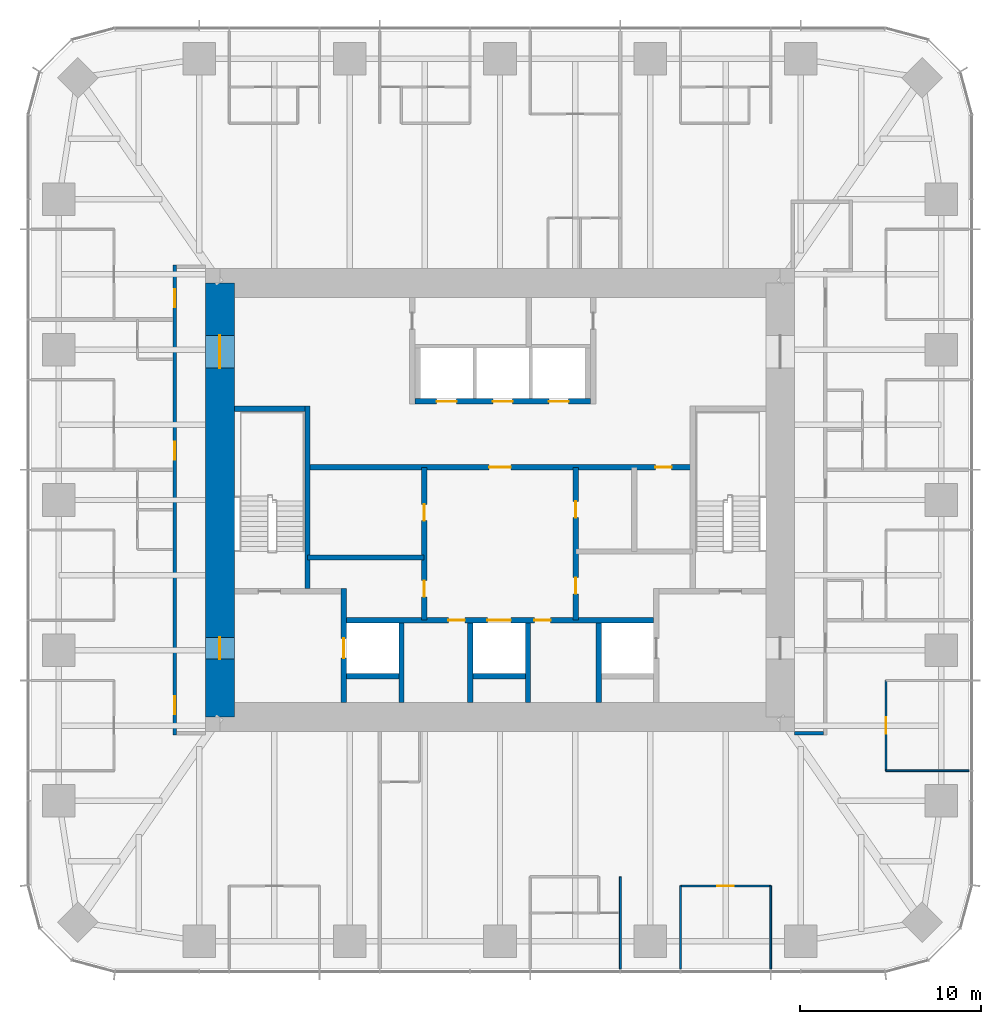
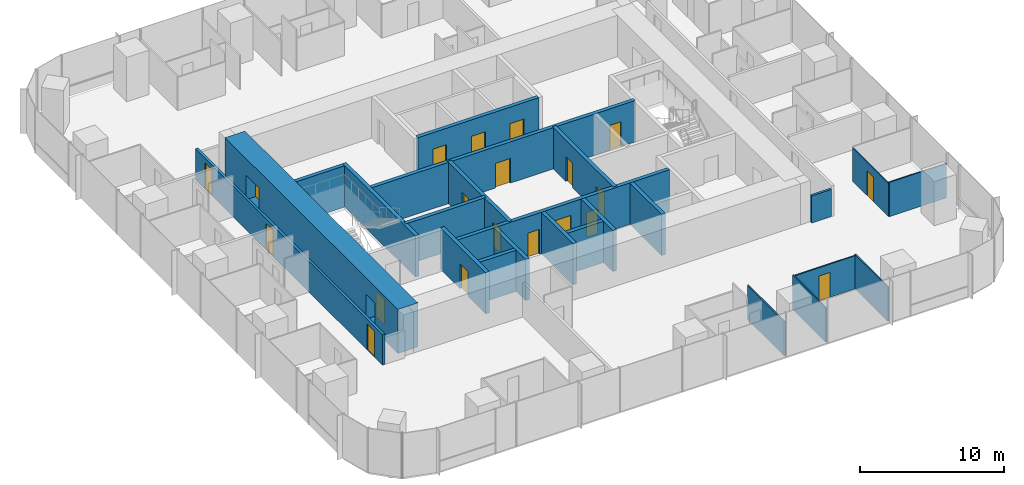
# One storey, part 9 of 12: 24 walls, 20 doors, 20 openings.
"""IFC4 building model written with IfcOpenShell, lengths in metres."""

from ifc_helpers import new_model, si_unit, direction, frame, frame_2d, origin, place, context, subcontext, project, spatial, rectangle, extrude, material, layer, layer_set, type_object, element, fill, save


model = new_model("IFC4")

# Units and contexts
model_context = context("Model", 3, precision=1e-05, world=origin(), true_north=direction((0.0, 1.0)))
body_context = subcontext(model_context, "Body", "Model", "MODEL_VIEW")
ifc_project = project(units=[si_unit("LENGTHUNIT", "METRE"), si_unit("AREAUNIT", "SQUARE_METRE"), si_unit("VOLUMEUNIT", "CUBIC_METRE"), si_unit("PLANEANGLEUNIT", "RADIAN"), si_unit("MASSUNIT", "GRAM", prefix="KILO")], contexts=[model_context])

# Site, building, storey
site_placement = place(None, origin())
site = spatial("IfcSite", under=ifc_project, at=site_placement, CompositionType="ELEMENT")
building_placement = place(site_placement, origin())
building = spatial("IfcBuilding", under=site, at=building_placement, Name="Khuree Lantern Residences", CompositionType="ELEMENT")
storey_placement = place(building_placement, frame((0.0, 0.0, 240.75)))
storey = spatial("IfcBuildingStorey", under=building, at=storey_placement, Name="L60", CompositionType="ELEMENT", Elevation=240.75)

# Wall, opening, door
ifc_material_1 = material(Name="Dense concrete blockwork", Category="masonry")
ifc_layer_1 = layer(ifc_material_1, 0.300048828125)
ifc_layer_set_1 = layer_set([ifc_layer_1], Name="CORE PARTITION WALL CPW300 EI 120")
wall_type_1 = type_object("IfcWallType", Name="CORE PARTITION WALL CPW300 EI 120", PredefinedType="PARTITIONING", material=ifc_layer_set_1)
wall_1_placement = place(storey_placement, frame((-8.64990234375, -11.199951171875, 0.0), z_axis=(0.0, 0.0, 1.0), x_axis=(0.0, 1.0, 0.0)))
wall_1 = element("IfcWall", 1, at=wall_1_placement, inside=storey, type_object=wall_type_1, Name="L60 CORE WALL FL1W", PredefinedType="PARTITIONING", context=body_context, shape_type="SweptSolid", body=[
    extrude(rectangle(XDim=6.300048828125, YDim=0.300048828125, at=frame_2d((3.14990234375, 0.0))), origin(), (0.0, 0.0, 1.0), 3.5),
])
opening_1_placement = place(wall_1_placement, frame((2.449951171875, 0.0, 0.0)))
opening_1 = element("IfcOpeningElement", 2, at=opening_1_placement, cuts=wall_1, Name="Opening 60-007", PredefinedType="OPENING", context=body_context, shape_type="SweptSolid", body=[
    extrude(rectangle(XDim=1.10009765625, YDim=2.10009765625, at=frame_2d((0.550048828125, 1.050048828125))), frame((0.0, 0.16015625, 0.0), z_axis=(0.0, -1.0, 0.0), x_axis=(1.0, 0.0, 0.0)), (0.0, 0.0, 1.0), 0.320068359375),
])
ifc_material_2 = material(Name="Stainless steel lift landing door", Category="steel")
door_type_1 = type_object("IfcDoorType", Name="LIFT LANDING DOOR 1100X2100 E 120", OperationType="DOUBLE_DOOR_SLIDING", PredefinedType="DOOR", material=ifc_material_2)
door_1_placement = place(opening_1_placement, origin())
door_1 = element("IfcDoor", 3, at=door_1_placement, inside=storey, type_object=door_type_1, Name="Landing door FL1 60-007", OperationType="DOUBLE_DOOR_SLIDING", OverallHeight=2.10009765625, OverallWidth=1.10009765625, PredefinedType="DOOR", context=body_context, shape_type="SweptSolid", body=[
    extrude(rectangle(XDim=1.10009765625, YDim=2.10009765625, at=frame_2d((0.550048828125, 1.050048828125))), frame((0.0, 0.02490234375, 0.0), z_axis=(0.0, -1.0, 0.0), x_axis=(1.0, 0.0, 0.0)), (0.0, 0.0, 1.0), 0.050048828125),
])
fill(opening_1, door_1)

# Wall, openings, doors
wall_2_placement = place(storey_placement, frame((-8.5, -6.64990234375, 0.0), z_axis=(0.0, 0.0, 1.0), x_axis=(1.0, 0.0, 0.0)))
wall_2 = element("IfcWall", 4, at=wall_2_placement, inside=storey, type_object=wall_type_1, Name="L60 CORE WALL FLROW", PredefinedType="PARTITIONING", context=body_context, shape_type="SweptSolid", body=[
    extrude(rectangle(XDim=17.0, YDim=0.300048828125, at=frame_2d((8.5, 0.0))), origin(), (0.0, 0.0, 1.0), 3.5),
])
opening_2_placement = place(wall_2_placement, frame((7.800048828125, 0.0, 0.0)))
opening_2 = element("IfcOpeningElement", 5, at=opening_2_placement, cuts=wall_2, Name="Opening 60-012", PredefinedType="OPENING", context=body_context, shape_type="SweptSolid", body=[
    extrude(rectangle(XDim=1.300048828125, YDim=2.39990234375, at=frame_2d((0.64990234375, 1.199951171875))), frame((0.0, 0.16015625, 0.0), z_axis=(0.0, -1.0, 0.0), x_axis=(1.0, 0.0, 0.0)), (0.0, 0.0, 1.0), 0.320068359375),
])
opening_3_placement = place(wall_2_placement, frame((5.64990234375, 0.0, 0.0)))
opening_3 = element("IfcOpeningElement", 6, at=opening_3_placement, cuts=wall_2, Name="Opening 60-014", PredefinedType="OPENING", context=body_context, shape_type="SweptSolid", body=[
    extrude(rectangle(XDim=0.89990234375, YDim=2.10009765625, at=frame_2d((0.449951171875, 1.050048828125))), frame((0.0, 0.16015625, 0.0), z_axis=(0.0, -1.0, 0.0), x_axis=(1.0, 0.0, 0.0)), (0.0, 0.0, 1.0), 0.320068359375),
])
opening_4_placement = place(wall_2_placement, frame((10.39990234375, 0.0, 0.0)))
opening_4 = element("IfcOpeningElement", 7, at=opening_4_placement, cuts=wall_2, Name="Opening 60-015", PredefinedType="OPENING", context=body_context, shape_type="SweptSolid", body=[
    extrude(rectangle(XDim=0.89990234375, YDim=2.10009765625, at=frame_2d((0.449951171875, 1.050048828125))), frame((0.0, 0.16015625, 0.0), z_axis=(0.0, -1.0, 0.0), x_axis=(1.0, 0.0, 0.0)), (0.0, 0.0, 1.0), 0.320068359375),
])
ifc_material_3 = material(Name="Steel door leaf in steel frame", Category="steel")
door_type_2 = type_object("IfcDoorType", Name="DOOR 900X2100 EI 60", OperationType="SINGLE_SWING_LEFT", PredefinedType="DOOR", material=ifc_material_3)
door_2_placement = place(opening_3_placement, origin())
door_2 = element("IfcDoor", 8, at=door_2_placement, inside=storey, type_object=door_type_2, Name="Refuse chute room door 60-014", OperationType="SINGLE_SWING_LEFT", OverallHeight=2.10009765625, OverallWidth=0.89990234375, PredefinedType="DOOR", context=body_context, shape_type="SweptSolid", body=[
    extrude(rectangle(XDim=0.89990234375, YDim=2.10009765625, at=frame_2d((0.449951171875, 1.050048828125))), frame((0.0, 0.02490234375, 0.0), z_axis=(0.0, -1.0, 0.0), x_axis=(1.0, 0.0, 0.0)), (0.0, 0.0, 1.0), 0.050048828125),
])
fill(opening_3, door_2)
door_type_3 = type_object("IfcDoorType", Name="DOOR 900X2100 EI 60 RIGHT HAND", OperationType="SINGLE_SWING_RIGHT", PredefinedType="DOOR", material=ifc_material_3)
door_3_placement = place(opening_4_placement, origin())
door_3 = element("IfcDoor", 9, at=door_3_placement, inside=storey, type_object=door_type_3, Name="Electrical and plumbing riser door 60-015", OperationType="SINGLE_SWING_RIGHT", OverallHeight=2.10009765625, OverallWidth=0.89990234375, PredefinedType="DOOR", context=body_context, shape_type="SweptSolid", body=[
    extrude(rectangle(XDim=0.89990234375, YDim=2.10009765625, at=frame_2d((0.449951171875, 1.050048828125))), frame((0.0, 0.02490234375, 0.0), z_axis=(0.0, -1.0, 0.0), x_axis=(1.0, 0.0, 0.0)), (0.0, 0.0, 1.0), 0.050048828125),
])
fill(opening_4, door_3)
door_type_4 = type_object("IfcDoorType", Name="LIFT LANDING DOOR 1300X2400 E 60", OperationType="DOUBLE_DOOR_SLIDING", PredefinedType="DOOR", material=ifc_material_2)
door_4_placement = place(opening_2_placement, origin())
door_4 = element("IfcDoor", 10, at=door_4_placement, inside=storey, type_object=door_type_4, Name="Landing door SL1 60-012", OperationType="DOUBLE_DOOR_SLIDING", OverallHeight=2.39990234375, OverallWidth=1.300048828125, PredefinedType="DOOR", context=body_context, shape_type="SweptSolid", body=[
    extrude(rectangle(XDim=1.300048828125, YDim=2.39990234375, at=frame_2d((0.64990234375, 1.199951171875))), frame((0.0, 0.02490234375, 0.0), z_axis=(0.0, -1.0, 0.0), x_axis=(1.0, 0.0, 0.0)), (0.0, 0.0, 1.0), 0.050048828125),
])
fill(opening_2, door_4)

# Walls
for number, where, z_axis, x_axis, name in (
    (11, (-5.449951171875, -11.199951171875, 0.0), (0.0, 0.0, 1.0), (0.0, 1.0, 0.0), "L60 CORE WALL FL1E"),
    (12, (-1.64990234375, -11.199951171875, 0.0), (0.0, 0.0, 1.0), (0.0, 1.0, 0.0), "L60 CORE WALL SL1W"),
    (13, (1.550048828125, -11.199951171875, 0.0), (0.0, 0.0, 1.0), (0.0, 1.0, 0.0), "L60 CORE WALL SL1E"),
    (14, (5.449951171875, -11.199951171875, 0.0), (0.0, 0.0, 1.0), (0.0, 1.0, 0.0), "L60 CORE WALL FL2W"),
):
    element("IfcWall", number, at=place(storey_placement, frame(where, z_axis=z_axis, x_axis=x_axis)), inside=storey, type_object=wall_type_1, Name=name, PredefinedType="PARTITIONING", context=body_context, shape_type="SweptSolid", body=[
        extrude(rectangle(XDim=4.39990234375, YDim=0.300048828125, at=frame_2d((2.199951171875, 0.0))), origin(), (0.0, 0.0, 1.0), 3.5),
    ])
for number, where, z_axis, x_axis, name in (
    (15, (-8.5, -9.75, 0.0), (0.0, 0.0, 1.0), (1.0, 0.0, 0.0), "L60 CORE WALL FL1S"),
    (16, (-1.5, -9.75, 0.0), (0.0, 0.0, 1.0), (1.0, 0.0, 0.0), "L60 CORE WALL SL1S"),
):
    element("IfcWall", number, at=place(storey_placement, frame(where, z_axis=z_axis, x_axis=x_axis)), inside=storey, type_object=wall_type_1, Name=name, PredefinedType="PARTITIONING", context=body_context, shape_type="SweptSolid", body=[
        extrude(rectangle(XDim=2.89990234375, YDim=0.300048828125, at=frame_2d((1.449951171875, 0.0))), origin(), (0.0, 0.0, 1.0), 3.5),
    ])

# Wall, openings, doors
wall_3_placement = place(storey_placement, frame((-4.699951171875, 5.449951171875, 0.0), z_axis=(0.0, 0.0, 1.0), x_axis=(1.0, 0.0, 0.0)))
wall_3 = element("IfcWall", 17, at=wall_3_placement, inside=storey, type_object=wall_type_1, Name="L60 CORE WALL PHS", PredefinedType="PARTITIONING", context=body_context, shape_type="SweptSolid", body=[
    extrude(rectangle(XDim=9.699951171875, YDim=0.300048828125, at=frame_2d((4.85009765625, 0.0))), origin(), (0.0, 0.0, 1.0), 3.5),
])
opening_5_placement = place(wall_3_placement, frame((1.199951171875, 0.0, 0.0)))
opening_5 = element("IfcOpeningElement", 18, at=opening_5_placement, cuts=wall_3, Name="Opening 60-009", PredefinedType="OPENING", context=body_context, shape_type="SweptSolid", body=[
    extrude(rectangle(XDim=1.10009765625, YDim=2.10009765625, at=frame_2d((0.550048828125, 1.050048828125))), frame((0.0, 0.16015625, 0.0), z_axis=(0.0, -1.0, 0.0), x_axis=(1.0, 0.0, 0.0)), (0.0, 0.0, 1.0), 0.320068359375),
])
opening_6_placement = place(wall_3_placement, frame((4.300048828125, 0.0, 0.0)))
opening_6 = element("IfcOpeningElement", 19, at=opening_6_placement, cuts=wall_3, Name="Opening 60-010", PredefinedType="OPENING", context=body_context, shape_type="SweptSolid", body=[
    extrude(rectangle(XDim=1.10009765625, YDim=2.10009765625, at=frame_2d((0.550048828125, 1.050048828125))), frame((0.0, 0.16015625, 0.0), z_axis=(0.0, -1.0, 0.0), x_axis=(1.0, 0.0, 0.0)), (0.0, 0.0, 1.0), 0.320068359375),
])
opening_7_placement = place(wall_3_placement, frame((7.39990234375, 0.0, 0.0)))
opening_7 = element("IfcOpeningElement", 20, at=opening_7_placement, cuts=wall_3, Name="Opening 60-011", PredefinedType="OPENING", context=body_context, shape_type="SweptSolid", body=[
    extrude(rectangle(XDim=1.10009765625, YDim=2.10009765625, at=frame_2d((0.550048828125, 1.050048828125))), frame((0.0, 0.16015625, 0.0), z_axis=(0.0, -1.0, 0.0), x_axis=(1.0, 0.0, 0.0)), (0.0, 0.0, 1.0), 0.320068359375),
])
door_type_5 = type_object("IfcDoorType", Name="LIFT LANDING DOOR 1100X2100 E 60", OperationType="DOUBLE_DOOR_SLIDING", PredefinedType="DOOR", material=ifc_material_2)
door_5_placement = place(opening_5_placement, origin())
door_5 = element("IfcDoor", 21, at=door_5_placement, inside=storey, type_object=door_type_5, Name="Landing door PH1 60-009", OperationType="DOUBLE_DOOR_SLIDING", OverallHeight=2.10009765625, OverallWidth=1.10009765625, PredefinedType="DOOR", context=body_context, shape_type="SweptSolid", body=[
    extrude(rectangle(XDim=1.10009765625, YDim=2.10009765625, at=frame_2d((0.550048828125, 1.050048828125))), frame((0.0, 0.02490234375, 0.0), z_axis=(0.0, -1.0, 0.0), x_axis=(1.0, 0.0, 0.0)), (0.0, 0.0, 1.0), 0.050048828125),
])
fill(opening_5, door_5)
door_6_placement = place(opening_6_placement, origin())
door_6 = element("IfcDoor", 22, at=door_6_placement, inside=storey, type_object=door_type_5, Name="Landing door PH2 60-010", OperationType="DOUBLE_DOOR_SLIDING", OverallHeight=2.10009765625, OverallWidth=1.10009765625, PredefinedType="DOOR", context=body_context, shape_type="SweptSolid", body=[
    extrude(rectangle(XDim=1.10009765625, YDim=2.10009765625, at=frame_2d((0.550048828125, 1.050048828125))), frame((0.0, 0.02490234375, 0.0), z_axis=(0.0, -1.0, 0.0), x_axis=(1.0, 0.0, 0.0)), (0.0, 0.0, 1.0), 0.050048828125),
])
fill(opening_6, door_6)
door_7_placement = place(opening_7_placement, origin())
door_7 = element("IfcDoor", 23, at=door_7_placement, inside=storey, type_object=door_type_5, Name="Landing door PH3 60-011", OperationType="DOUBLE_DOOR_SLIDING", OverallHeight=2.10009765625, OverallWidth=1.10009765625, PredefinedType="DOOR", context=body_context, shape_type="SweptSolid", body=[
    extrude(rectangle(XDim=1.10009765625, YDim=2.10009765625, at=frame_2d((0.550048828125, 1.050048828125))), frame((0.0, 0.02490234375, 0.0), z_axis=(0.0, -1.0, 0.0), x_axis=(1.0, 0.0, 0.0)), (0.0, 0.0, 1.0), 0.050048828125),
])
fill(opening_7, door_7)

wall_4_placement = place(storey_placement, frame((-10.64990234375, 1.800048828125, 0.0), z_axis=(0.0, 0.0, 1.0), x_axis=(1.0, 0.0, 0.0)))
wall_4 = element("IfcWall", 24, at=wall_4_placement, inside=storey, type_object=wall_type_1, Name="L60 CORE WALL LLS", PredefinedType="PARTITIONING", context=body_context, shape_type="SweptSolid", body=[
    extrude(rectangle(XDim=21.2998046875, YDim=0.300048828125, at=frame_2d((10.64990234375, 0.0))), origin(), (0.0, 0.0, 1.0), 3.5),
])
opening_8_placement = place(wall_4_placement, frame((10.050048828125, 0.0, 0.0)))
opening_8 = element("IfcOpeningElement", 25, at=opening_8_placement, cuts=wall_4, Name="Opening 60-013", PredefinedType="OPENING", context=body_context, shape_type="SweptSolid", body=[
    extrude(rectangle(XDim=1.199951171875, YDim=2.10009765625, at=frame_2d((0.60009765625, 1.050048828125))), frame((0.0, 0.16015625, 0.0), z_axis=(0.0, -1.0, 0.0), x_axis=(1.0, 0.0, 0.0)), (0.0, 0.0, 1.0), 0.320068359375),
])
opening_9_placement = place(wall_4_placement, frame((19.238037109375, 0.0, 0.0)))
opening_9 = element("IfcOpeningElement", 26, at=opening_9_placement, cuts=wall_4, Name="Opening 60-020", PredefinedType="OPENING", context=body_context, shape_type="SweptSolid", body=[
    extrude(rectangle(XDim=0.89990234375, YDim=2.10009765625, at=frame_2d((0.449951171875, 1.050048828125))), frame((0.0, 0.16015625, 0.0), z_axis=(0.0, -1.0, 0.0), x_axis=(1.0, 0.0, 0.0)), (0.0, 0.0, 1.0), 0.320068359375),
])
door_type_6 = type_object("IfcDoorType", Name="DOOR 1200X2100 EI 60", OperationType="SINGLE_SWING_LEFT", PredefinedType="DOOR", material=ifc_material_3)
door_8_placement = place(opening_8_placement, origin())
door_8 = element("IfcDoor", 27, at=door_8_placement, inside=storey, type_object=door_type_6, Name="Service lift lobby door 60-013", OperationType="SINGLE_SWING_LEFT", OverallHeight=2.10009765625, OverallWidth=1.199951171875, PredefinedType="DOOR", context=body_context, shape_type="SweptSolid", body=[
    extrude(rectangle(XDim=1.199951171875, YDim=2.10009765625, at=frame_2d((0.60009765625, 1.050048828125))), frame((0.0, 0.02490234375, 0.0), z_axis=(0.0, -1.0, 0.0), x_axis=(1.0, 0.0, 0.0)), (0.0, 0.0, 1.0), 0.050048828125),
])
fill(opening_8, door_8)
ifc_material_4 = material(Name="Timber door leaf in hardwood frame", Category="wood")
door_type_7 = type_object("IfcDoorType", Name="DOOR 900X2100 RIGHT HAND", OperationType="SINGLE_SWING_RIGHT", PredefinedType="DOOR", material=ifc_material_4)
door_9_placement = place(opening_9_placement, origin())
door_9 = element("IfcDoor", 28, at=door_9_placement, inside=storey, type_object=door_type_7, Name="Building management room door 60-020", OperationType="SINGLE_SWING_RIGHT", OverallHeight=2.10009765625, OverallWidth=0.89990234375, PredefinedType="DOOR", context=body_context, shape_type="SweptSolid", body=[
    extrude(rectangle(XDim=0.89990234375, YDim=2.10009765625, at=frame_2d((0.449951171875, 1.050048828125))), frame((0.0, 0.02490234375, 0.0), z_axis=(0.0, -1.0, 0.0), x_axis=(1.0, 0.0, 0.0)), (0.0, 0.0, 1.0), 0.050048828125),
])
fill(opening_9, door_9)

wall_5_placement = place(storey_placement, frame((-4.199951171875, -6.64990234375, 0.0), z_axis=(0.0, 0.0, 1.0), x_axis=(0.0, 1.0, 0.0)))
wall_5 = element("IfcWall", 29, at=wall_5_placement, inside=storey, type_object=wall_type_1, Name="L60 CORE WALL SVW", PredefinedType="PARTITIONING", context=body_context, shape_type="SweptSolid", body=[
    extrude(rectangle(XDim=8.449951171875, YDim=0.300048828125, at=frame_2d((4.22509765625, 0.0))), origin(), (0.0, 0.0, 1.0), 3.5),
])
opening_10_placement = place(wall_5_placement, frame((1.284912109375, 0.0, 0.0)))
opening_10 = element("IfcOpeningElement", 30, at=opening_10_placement, cuts=wall_5, Name="Opening 60-016", PredefinedType="OPENING", context=body_context, shape_type="SweptSolid", body=[
    extrude(rectangle(XDim=0.89990234375, YDim=2.10009765625, at=frame_2d((0.449951171875, 1.050048828125))), frame((0.0, 0.16015625, 0.0), z_axis=(0.0, -1.0, 0.0), x_axis=(1.0, 0.0, 0.0)), (0.0, 0.0, 1.0), 0.320068359375),
])
opening_11_placement = place(wall_5_placement, frame((5.510009765625, 0.0, 0.0)))
opening_11 = element("IfcOpeningElement", 31, at=opening_11_placement, cuts=wall_5, Name="Opening 60-017", PredefinedType="OPENING", context=body_context, shape_type="SweptSolid", body=[
    extrude(rectangle(XDim=0.89990234375, YDim=2.10009765625, at=frame_2d((0.449951171875, 1.050048828125))), frame((0.0, 0.16015625, 0.0), z_axis=(0.0, -1.0, 0.0), x_axis=(1.0, 0.0, 0.0)), (0.0, 0.0, 1.0), 0.320068359375),
])
door_type_8 = type_object("IfcDoorType", Name="DOOR 900X2100", OperationType="SINGLE_SWING_LEFT", PredefinedType="DOOR", material=ifc_material_4)
door_10_placement = place(opening_10_placement, origin())
door_10 = element("IfcDoor", 32, at=door_10_placement, inside=storey, type_object=door_type_8, Name="Parcel room door 60-016", OperationType="SINGLE_SWING_LEFT", OverallHeight=2.10009765625, OverallWidth=0.89990234375, PredefinedType="DOOR", context=body_context, shape_type="SweptSolid", body=[
    extrude(rectangle(XDim=0.89990234375, YDim=2.10009765625, at=frame_2d((0.449951171875, 1.050048828125))), frame((0.0, 0.02490234375, 0.0), z_axis=(0.0, -1.0, 0.0), x_axis=(1.0, 0.0, 0.0)), (0.0, 0.0, 1.0), 0.050048828125),
])
fill(opening_10, door_10)
door_11_placement = place(opening_11_placement, origin())
door_11 = element("IfcDoor", 33, at=door_11_placement, inside=storey, type_object=door_type_8, Name="Residents' store door 60-017", OperationType="SINGLE_SWING_LEFT", OverallHeight=2.10009765625, OverallWidth=0.89990234375, PredefinedType="DOOR", context=body_context, shape_type="SweptSolid", body=[
    extrude(rectangle(XDim=0.89990234375, YDim=2.10009765625, at=frame_2d((0.449951171875, 1.050048828125))), frame((0.0, 0.02490234375, 0.0), z_axis=(0.0, -1.0, 0.0), x_axis=(1.0, 0.0, 0.0)), (0.0, 0.0, 1.0), 0.050048828125),
])
fill(opening_11, door_11)

wall_6_placement = place(storey_placement, frame((4.199951171875, -6.64990234375, 0.0), z_axis=(0.0, 0.0, 1.0), x_axis=(0.0, 1.0, 0.0)))
wall_6 = element("IfcWall", 34, at=wall_6_placement, inside=storey, type_object=wall_type_1, Name="L60 CORE WALL SVE", PredefinedType="PARTITIONING", context=body_context, shape_type="SweptSolid", body=[
    extrude(rectangle(XDim=8.449951171875, YDim=0.300048828125, at=frame_2d((4.22509765625, 0.0))), origin(), (0.0, 0.0, 1.0), 3.5),
])
opening_12_placement = place(wall_6_placement, frame((1.450927734375, 0.0, 0.0)))
opening_12 = element("IfcOpeningElement", 35, at=opening_12_placement, cuts=wall_6, Name="Opening 60-018", PredefinedType="OPENING", context=body_context, shape_type="SweptSolid", body=[
    extrude(rectangle(XDim=0.89990234375, YDim=2.10009765625, at=frame_2d((0.449951171875, 1.050048828125))), frame((0.0, 0.16015625, 0.0), z_axis=(0.0, -1.0, 0.0), x_axis=(1.0, 0.0, 0.0)), (0.0, 0.0, 1.0), 0.320068359375),
])
opening_13_placement = place(wall_6_placement, frame((5.676025390625, 0.0, 0.0)))
opening_13 = element("IfcOpeningElement", 36, at=opening_13_placement, cuts=wall_6, Name="Opening 60-019", PredefinedType="OPENING", context=body_context, shape_type="SweptSolid", body=[
    extrude(rectangle(XDim=0.89990234375, YDim=2.10009765625, at=frame_2d((0.449951171875, 1.050048828125))), frame((0.0, 0.16015625, 0.0), z_axis=(0.0, -1.0, 0.0), x_axis=(1.0, 0.0, 0.0)), (0.0, 0.0, 1.0), 0.320068359375),
])
door_12_placement = place(opening_12_placement, origin())
door_12 = element("IfcDoor", 37, at=door_12_placement, inside=storey, type_object=door_type_8, Name="Parcel room door 60-018", OperationType="SINGLE_SWING_LEFT", OverallHeight=2.10009765625, OverallWidth=0.89990234375, PredefinedType="DOOR", context=body_context, shape_type="SweptSolid", body=[
    extrude(rectangle(XDim=0.89990234375, YDim=2.10009765625, at=frame_2d((0.449951171875, 1.050048828125))), frame((0.0, 0.02490234375, 0.0), z_axis=(0.0, -1.0, 0.0), x_axis=(1.0, 0.0, 0.0)), (0.0, 0.0, 1.0), 0.050048828125),
])
fill(opening_12, door_12)
door_13_placement = place(opening_13_placement, origin())
door_13 = element("IfcDoor", 38, at=door_13_placement, inside=storey, type_object=door_type_7, Name="Housekeeping store door 60-019", OperationType="SINGLE_SWING_RIGHT", OverallHeight=2.10009765625, OverallWidth=0.89990234375, PredefinedType="DOOR", context=body_context, shape_type="SweptSolid", body=[
    extrude(rectangle(XDim=0.89990234375, YDim=2.10009765625, at=frame_2d((0.449951171875, 1.050048828125))), frame((0.0, 0.02490234375, 0.0), z_axis=(0.0, -1.0, 0.0), x_axis=(1.0, 0.0, 0.0)), (0.0, 0.0, 1.0), 0.050048828125),
])
fill(opening_13, door_13)

# Walls
wall_7_placement = place(storey_placement, frame((-10.64990234375, -3.179931640625, 0.0), z_axis=(0.0, 0.0, 1.0), x_axis=(1.0, 0.0, 0.0)))
element("IfcWall", 39, at=wall_7_placement, inside=storey, type_object=wall_type_1, Name="L60 CORE WALL WX", PredefinedType="PARTITIONING", context=body_context, shape_type="SweptSolid", body=[
    extrude(rectangle(XDim=6.449951171875, YDim=0.300048828125, at=frame_2d((3.22509765625, 0.0))), origin(), (0.0, 0.0, 1.0), 3.5),
])
ifc_material_5 = material(Name="Gypsum board on steel studs", Category="steel")
ifc_layer_2 = layer(ifc_material_5, 0.199951171875)
ifc_layer_set_2 = layer_set([ifc_layer_2], Name="CORRIDOR WALL CRW200 EI 60")
wall_type_2 = type_object("IfcWallType", Name="CORRIDOR WALL CRW200 EI 60", PredefinedType="PARTITIONING", material=ifc_layer_set_2)
wall_8_placement = place(storey_placement, frame((16.300048828125, -12.89990234375, 0.0), z_axis=(0.0, 0.0, 1.0), x_axis=(1.0, 0.0, 0.0)))
element("IfcWall", 40, at=wall_8_placement, inside=storey, type_object=wall_type_2, Name="L60 EAST CORRIDOR SOUTH END WALL", PredefinedType="PARTITIONING", context=body_context, shape_type="SweptSolid", body=[
    extrude(rectangle(XDim=1.599853515625, YDim=0.199951171875, at=frame_2d((0.7998046875, 0.0))), origin(), (0.0, 0.0, 1.0), 2.300048828125),
])

# Wall, openings, doors
wall_9_placement = place(storey_placement, frame((-18.0, 13.0, 0.0), z_axis=(0.0, 0.0, 1.0), x_axis=(0.0, -1.0, 0.0)))
wall_9 = element("IfcWall", 41, at=wall_9_placement, inside=storey, type_object=wall_type_2, Name="L60 CORRIDOR WALL WEST 1", PredefinedType="PARTITIONING", context=body_context, shape_type="SweptSolid", body=[
    extrude(rectangle(XDim=26.0, YDim=0.199951171875, at=frame_2d((13.0, 0.0))), origin(), (0.0, 0.0, 1.0), 2.60009765625),
])
opening_14_placement = place(wall_9_placement, frame((1.35009765625, 0.0, 0.0)))
opening_14 = element("IfcOpeningElement", 42, at=opening_14_placement, cuts=wall_9, Name="Opening 60-041", PredefinedType="OPENING", context=body_context, shape_type="SweptSolid", body=[
    extrude(rectangle(XDim=1.0, YDim=2.199951171875, at=frame_2d((0.5, 1.10009765625))), frame((0.0, 0.10986328125, 0.0), z_axis=(0.0, -1.0, 0.0), x_axis=(1.0, 0.0, 0.0)), (0.0, 0.0, 1.0), 0.219970703125),
])
opening_15_placement = place(wall_9_placement, frame((9.785888671875, 0.0, 0.0)))
opening_15 = element("IfcOpeningElement", 43, at=opening_15_placement, cuts=wall_9, Name="Opening 60-044", PredefinedType="OPENING", context=body_context, shape_type="SweptSolid", body=[
    extrude(rectangle(XDim=1.0, YDim=2.199951171875, at=frame_2d((0.5, 1.10009765625))), frame((0.0, 0.10986328125, 0.0), z_axis=(0.0, -1.0, 0.0), x_axis=(1.0, 0.0, 0.0)), (0.0, 0.0, 1.0), 0.219970703125),
])
opening_16_placement = place(wall_9_placement, frame((23.85595703125, 0.0, 0.0)))
opening_16 = element("IfcOpeningElement", 44, at=opening_16_placement, cuts=wall_9, Name="Opening 60-050", PredefinedType="OPENING", context=body_context, shape_type="SweptSolid", body=[
    extrude(rectangle(XDim=1.0, YDim=2.199951171875, at=frame_2d((0.5, 1.10009765625))), frame((0.0, 0.10986328125, 0.0), z_axis=(0.0, -1.0, 0.0), x_axis=(1.0, 0.0, 0.0)), (0.0, 0.0, 1.0), 0.219970703125),
])
door_type_9 = type_object("IfcDoorType", Name="APARTMENT ENTRANCE DOOR 1000X2200 EI 30S", OperationType="SINGLE_SWING_LEFT", PredefinedType="DOOR", material=ifc_material_4)
door_14_placement = place(opening_14_placement, origin())
door_14 = element("IfcDoor", 45, at=door_14_placement, inside=storey, type_object=door_type_9, Name="Apartment 03 entrance door 60-041", OperationType="SINGLE_SWING_LEFT", OverallHeight=2.199951171875, OverallWidth=1.0, PredefinedType="DOOR", context=body_context, shape_type="SweptSolid", body=[
    extrude(rectangle(XDim=1.0, YDim=2.199951171875, at=frame_2d((0.5, 1.10009765625))), frame((0.0, 0.02490234375, 0.0), z_axis=(0.0, -1.0, 0.0), x_axis=(1.0, 0.0, 0.0)), (0.0, 0.0, 1.0), 0.050048828125),
])
fill(opening_14, door_14)
door_15_placement = place(opening_15_placement, origin())
door_15 = element("IfcDoor", 46, at=door_15_placement, inside=storey, type_object=door_type_9, Name="Apartment 04 entrance door 60-044", OperationType="SINGLE_SWING_LEFT", OverallHeight=2.199951171875, OverallWidth=1.0, PredefinedType="DOOR", context=body_context, shape_type="SweptSolid", body=[
    extrude(rectangle(XDim=1.0, YDim=2.199951171875, at=frame_2d((0.5, 1.10009765625))), frame((0.0, 0.02490234375, 0.0), z_axis=(0.0, -1.0, 0.0), x_axis=(1.0, 0.0, 0.0)), (0.0, 0.0, 1.0), 0.050048828125),
])
fill(opening_15, door_15)
door_type_10 = type_object("IfcDoorType", Name="APARTMENT ENTRANCE DOOR 1000X2200 EI 30S RIGHT HAND", OperationType="SINGLE_SWING_RIGHT", PredefinedType="DOOR", material=ifc_material_4)
door_16_placement = place(opening_16_placement, origin())
door_16 = element("IfcDoor", 47, at=door_16_placement, inside=storey, type_object=door_type_10, Name="Apartment 05 entrance door 60-050", OperationType="SINGLE_SWING_RIGHT", OverallHeight=2.199951171875, OverallWidth=1.0, PredefinedType="DOOR", context=body_context, shape_type="SweptSolid", body=[
    extrude(rectangle(XDim=1.0, YDim=2.199951171875, at=frame_2d((0.5, 1.10009765625))), frame((0.0, 0.02490234375, 0.0), z_axis=(0.0, -1.0, 0.0), x_axis=(1.0, 0.0, 0.0)), (0.0, 0.0, 1.0), 0.050048828125),
])
fill(opening_16, door_16)

ifc_material_6 = material(Name="Concrete C50/60", Category="concrete")
ifc_layer_3 = layer(ifc_material_6, 1.60009765625)
ifc_layer_set_3 = layer_set([ifc_layer_3], Name="CW1600-C50 CORE WALL C50 1600")
wall_type_3 = type_object("IfcWallType", Name="CW1600-C50 CORE WALL C50 1600", PredefinedType="SHEAR", material=ifc_layer_set_3)
wall_10_placement = place(storey_placement, frame((-15.5, -12.0, -0.25), z_axis=(0.0, 0.0, 1.0), x_axis=(0.0, 1.0, 0.0)))
wall_10 = element("IfcWall", 48, at=wall_10_placement, inside=storey, type_object=wall_type_3, Name="Core wall W", PredefinedType="SHEAR", context=body_context, shape_type="SweptSolid", body=[
    extrude(rectangle(XDim=24.0, YDim=1.60009765625, at=frame_2d((12.0, 0.0))), origin(), (0.0, 0.0, 1.0), 3.75),
])
opening_17_placement = place(wall_10_placement, frame((3.199951171875, 0.0, 0.25)))
opening_17 = element("IfcOpeningElement", 49, at=opening_17_placement, cuts=wall_10, Name="Opening 60-002", PredefinedType="OPENING", context=body_context, shape_type="SweptSolid", body=[
    extrude(rectangle(XDim=1.199951171875, YDim=2.10009765625, at=frame_2d((0.60009765625, 1.050048828125))), frame((0.0, 0.81005859375, 0.0), z_axis=(0.0, -1.0, 0.0), x_axis=(1.0, 0.0, 0.0)), (0.0, 0.0, 1.0), 1.6201171875),
])
opening_18_placement = place(wall_10_placement, frame((19.300048828125, 0.0, 0.25)))
opening_18 = element("IfcOpeningElement", 50, at=opening_18_placement, cuts=wall_10, Name="Opening 60-003", PredefinedType="OPENING", context=body_context, shape_type="SweptSolid", body=[
    extrude(rectangle(XDim=1.800048828125, YDim=2.10009765625, at=frame_2d((0.89990234375, 1.050048828125))), frame((0.0, 0.81005859375, 0.0), z_axis=(0.0, -1.0, 0.0), x_axis=(1.0, 0.0, 0.0)), (0.0, 0.0, 1.0), 1.6201171875),
])
door_type_11 = type_object("IfcDoorType", Name="LOBBY DOOR 1200X2100 EI 120", OperationType="SINGLE_SWING_LEFT", PredefinedType="DOOR", material=ifc_material_3)
door_17_placement = place(opening_17_placement, origin())
door_17 = element("IfcDoor", 51, at=door_17_placement, inside=storey, type_object=door_type_11, Name="Firefighting lobby door 60-002", OperationType="SINGLE_SWING_LEFT", OverallHeight=2.10009765625, OverallWidth=1.199951171875, PredefinedType="DOOR", context=body_context, shape_type="SweptSolid", body=[
    extrude(rectangle(XDim=1.199951171875, YDim=2.10009765625, at=frame_2d((0.60009765625, 1.050048828125))), frame((0.0, 0.02490234375, 0.0), z_axis=(0.0, -1.0, 0.0), x_axis=(1.0, 0.0, 0.0)), (0.0, 0.0, 1.0), 0.050048828125),
])
fill(opening_17, door_17)
door_type_12 = type_object("IfcDoorType", Name="LOBBY DOUBLE DOOR 1800X2100 EI 60", OperationType="DOUBLE_DOOR_SINGLE_SWING", PredefinedType="DOOR", material=ifc_material_3)
door_18_placement = place(opening_18_placement, origin())
door_18 = element("IfcDoor", 52, at=door_18_placement, inside=storey, type_object=door_type_12, Name="Lift lobby door 60-003", OperationType="DOUBLE_DOOR_SINGLE_SWING", OverallHeight=2.10009765625, OverallWidth=1.800048828125, PredefinedType="DOOR", context=body_context, shape_type="SweptSolid", body=[
    extrude(rectangle(XDim=1.800048828125, YDim=2.10009765625, at=frame_2d((0.89990234375, 1.050048828125))), frame((0.0, 0.02490234375, 0.0), z_axis=(0.0, -1.0, 0.0), x_axis=(1.0, 0.0, 0.0)), (0.0, 0.0, 1.0), 0.050048828125),
])
fill(opening_18, door_18)

# Walls
ifc_layer_4 = layer(ifc_material_5, 0.10009765625)
ifc_layer_set_4 = layer_set([ifc_layer_4], Name="PARTITION PT100")
wall_type_4 = type_object("IfcWallType", Name="PARTITION PT100", PredefinedType="PARTITIONING", material=ifc_layer_set_4)
wall_11_placement = place(storey_placement, frame((6.656005859375, -20.844970703125, 0.0), z_axis=(0.0, 0.0, 1.0), x_axis=(0.0, -1.0, 0.0)))
element("IfcWall", 53, at=wall_11_placement, inside=storey, type_object=wall_type_4, Name="L60 PARTITION 06", PredefinedType="PARTITIONING", context=body_context, shape_type="SweptSolid", body=[
    extrude(rectangle(XDim=5.10498046875, YDim=0.10009765625, at=frame_2d((2.552490234375, 0.0))), origin(), (0.0, 0.0, 1.0), 2.909912109375),
])
for number, where, z_axis, x_axis, name in (
    (54, (9.98388671875, -21.35009765625, 0.0), (0.0, 0.0, 1.0), (0.0, -1.0, 0.0), "L60 PARTITION 06"),
    (55, (14.97607421875, -21.35009765625, 0.0), (0.0, 0.0, 1.0), (0.0, -1.0, 0.0), "L60 PARTITION 06"),
    (56, (21.35009765625, -14.97607421875, 0.0), (0.0, 0.0, 1.0), (1.0, 0.0, 0.0), "L60 PARTITION 06"),
):
    element("IfcWall", number, at=place(storey_placement, frame(where, z_axis=z_axis, x_axis=x_axis)), inside=storey, type_object=wall_type_4, Name=name, PredefinedType="PARTITIONING", context=body_context, shape_type="SweptSolid", body=[
        extrude(rectangle(XDim=4.599853515625, YDim=0.10009765625, at=frame_2d((2.2998046875, 0.0))), origin(), (0.0, 0.0, 1.0), 2.909912109375),
    ])

# Wall, opening, door
wall_12_placement = place(storey_placement, frame((9.98388671875, -21.35009765625, 0.0), z_axis=(0.0, 0.0, 1.0), x_axis=(1.0, 0.0, 0.0)))
wall_12 = element("IfcWall", 57, at=wall_12_placement, inside=storey, type_object=wall_type_4, Name="L60 PARTITION 06", PredefinedType="PARTITIONING", context=body_context, shape_type="SweptSolid", body=[
    extrude(rectangle(XDim=4.9921875, YDim=0.10009765625, at=frame_2d((2.49609375, 0.0))), origin(), (0.0, 0.0, 1.0), 2.81005859375),
])
opening_19_placement = place(wall_12_placement, frame((2.0458984375, 0.0, 0.0)))
opening_19 = element("IfcOpeningElement", 58, at=opening_19_placement, cuts=wall_12, Name="Opening 60-053", PredefinedType="OPENING", context=body_context, shape_type="SweptSolid", body=[
    extrude(rectangle(XDim=0.89990234375, YDim=2.10009765625, at=frame_2d((0.449951171875, 1.050048828125))), frame((0.0, 0.06005859375, 0.0), z_axis=(0.0, -1.0, 0.0), x_axis=(1.0, 0.0, 0.0)), (0.0, 0.0, 1.0), 0.1201171875),
])
door_type_13 = type_object("IfcDoorType", Name="BEDROOM DOOR 900X2100", OperationType="SINGLE_SWING_LEFT", PredefinedType="DOOR", material=ifc_material_4)
door_19_placement = place(opening_19_placement, origin())
door_19 = element("IfcDoor", 59, at=door_19_placement, inside=storey, type_object=door_type_13, Name="Bedroom door 60-053", OperationType="SINGLE_SWING_LEFT", OverallHeight=2.10009765625, OverallWidth=0.89990234375, PredefinedType="DOOR", context=body_context, shape_type="SweptSolid", body=[
    extrude(rectangle(XDim=0.89990234375, YDim=2.10009765625, at=frame_2d((0.449951171875, 1.050048828125))), frame((0.0, 0.02490234375, 0.0), z_axis=(0.0, -1.0, 0.0), x_axis=(1.0, 0.0, 0.0)), (0.0, 0.0, 1.0), 0.050048828125),
])
fill(opening_19, door_19)

wall_13_placement = place(storey_placement, frame((21.35009765625, -14.97607421875, 0.0), z_axis=(0.0, 0.0, 1.0), x_axis=(0.0, 1.0, 0.0)))
wall_13 = element("IfcWall", 60, at=wall_13_placement, inside=storey, type_object=wall_type_4, Name="L60 PARTITION 06", PredefinedType="PARTITIONING", context=body_context, shape_type="SweptSolid", body=[
    extrude(rectangle(XDim=4.9921875, YDim=0.10009765625, at=frame_2d((2.49609375, 0.0))), origin(), (0.0, 0.0, 1.0), 2.81005859375),
])
opening_20_placement = place(wall_13_placement, frame((2.0458984375, 0.0, 0.0)))
opening_20 = element("IfcOpeningElement", 61, at=opening_20_placement, cuts=wall_13, Name="Opening 60-054", PredefinedType="OPENING", context=body_context, shape_type="SweptSolid", body=[
    extrude(rectangle(XDim=0.89990234375, YDim=2.10009765625, at=frame_2d((0.449951171875, 1.050048828125))), frame((0.0, 0.06005859375, 0.0), z_axis=(0.0, -1.0, 0.0), x_axis=(1.0, 0.0, 0.0)), (0.0, 0.0, 1.0), 0.1201171875),
])
door_20_placement = place(opening_20_placement, origin())
door_20 = element("IfcDoor", 62, at=door_20_placement, inside=storey, type_object=door_type_13, Name="Bedroom door 60-054", OperationType="SINGLE_SWING_LEFT", OverallHeight=2.10009765625, OverallWidth=0.89990234375, PredefinedType="DOOR", context=body_context, shape_type="SweptSolid", body=[
    extrude(rectangle(XDim=0.89990234375, YDim=2.10009765625, at=frame_2d((0.449951171875, 1.050048828125))), frame((0.0, 0.02490234375, 0.0), z_axis=(0.0, -1.0, 0.0), x_axis=(1.0, 0.0, 0.0)), (0.0, 0.0, 1.0), 0.050048828125),
])
fill(opening_20, door_20)

# Walls
ifc_layer_5 = layer(ifc_material_6, 0.300048828125)
ifc_layer_set_5 = layer_set([ifc_layer_5], Name="STAIR WALL SRW300 C50/60 REI 240")
wall_type_5 = type_object("IfcWallType", Name="STAIR WALL SRW300 C50/60 REI 240", PredefinedType="SOLIDWALL", material=ifc_layer_set_5)
wall_14_placement = place(storey_placement, frame((-10.64990234375, -4.89990234375, 0.0), z_axis=(0.0, 0.0, 1.0), x_axis=(0.0, 1.0, 0.0)))
element("IfcWall", 63, at=wall_14_placement, inside=storey, type_object=wall_type_5, Name="L60 STAIR WALL ST1E", PredefinedType="SOLIDWALL", context=body_context, shape_type="SweptSolid", body=[
    extrude(rectangle(XDim=10.099853515625, YDim=0.300048828125, at=frame_2d((5.0498046875, 0.0))), origin(), (0.0, 0.0, 1.0), 3.5),
])
wall_15_placement = place(storey_placement, frame((-14.699951171875, 5.050048828125, 0.0), z_axis=(0.0, 0.0, 1.0), x_axis=(1.0, 0.0, 0.0)))
element("IfcWall", 64, at=wall_15_placement, inside=storey, type_object=wall_type_5, Name="L60 STAIR WALL ST1N", PredefinedType="SOLIDWALL", context=body_context, shape_type="SweptSolid", body=[
    extrude(rectangle(XDim=3.89990234375, YDim=0.300048828125, at=frame_2d((1.949951171875, 0.0))), origin(), (0.0, 0.0, 1.0), 3.5),
])

save(model, "model.ifc")
